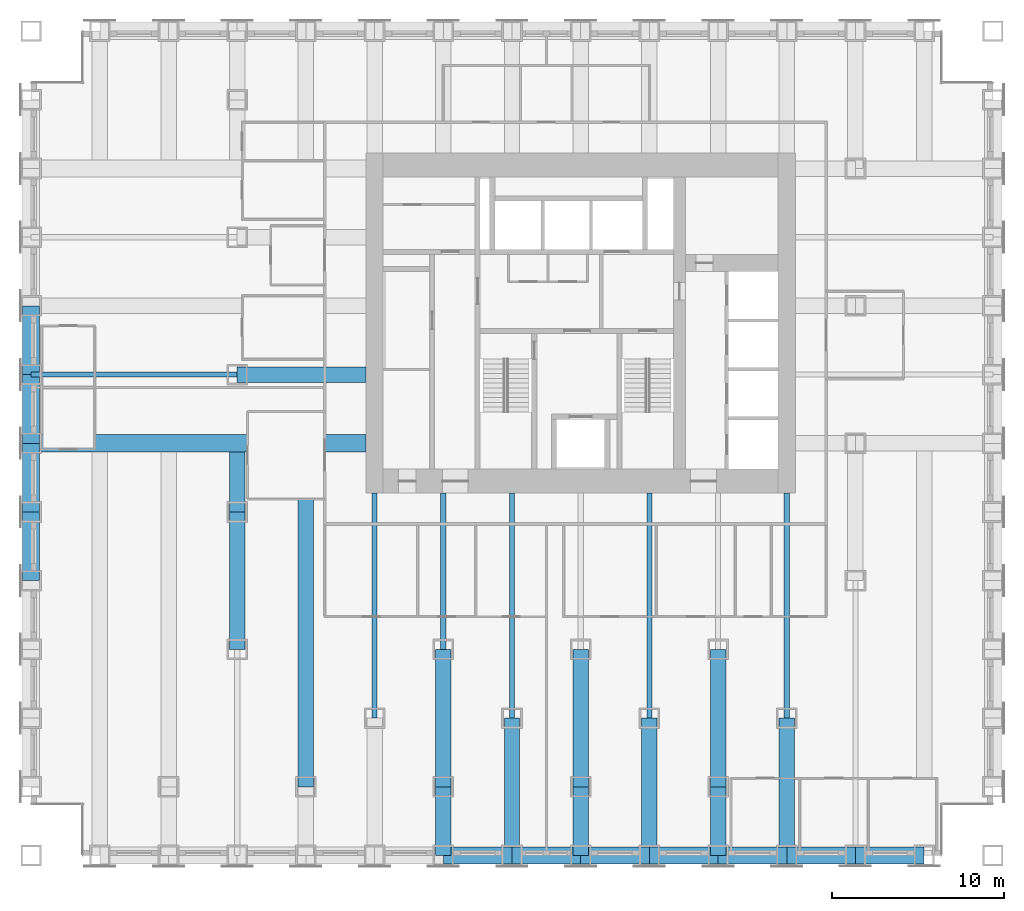
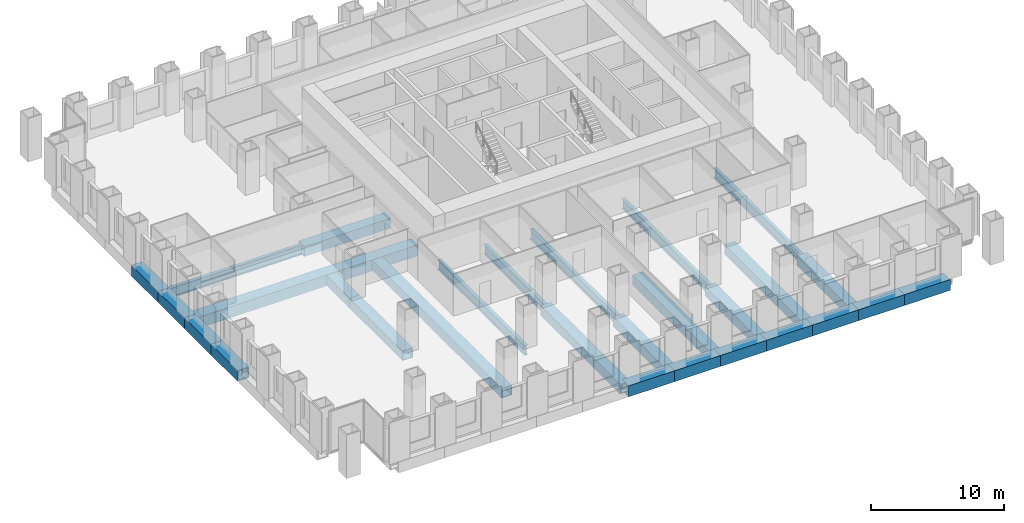
# One storey, part 3 of 15: 31 beams.
"""IFC4 building model written with IfcOpenShell, lengths in metres."""

from ifc_helpers import new_model, si_unit, direction, frame, origin, origin_2d, place, context, subcontext, project, spatial, hollow_rectangle, i_section, extrude, material, material_profile, profile_set, type_object, element, save


model = new_model("IFC4")

# Units and contexts
model_context = context("Model", 3, precision=1e-05, world=origin(), true_north=direction((0.0, 1.0)))
body_context = subcontext(model_context, "Body", "Model", "MODEL_VIEW")
ifc_project = project(units=[si_unit("LENGTHUNIT", "METRE"), si_unit("AREAUNIT", "SQUARE_METRE"), si_unit("VOLUMEUNIT", "CUBIC_METRE"), si_unit("PLANEANGLEUNIT", "RADIAN"), si_unit("MASSUNIT", "GRAM", prefix="KILO")], contexts=[model_context])

# Site, building, storey
site_placement = place(None, origin())
site = spatial("IfcSite", under=ifc_project, at=site_placement, CompositionType="ELEMENT")
building_placement = place(site_placement, origin())
building = spatial("IfcBuilding", under=site, at=building_placement, Name="Rimbunsela Tower", CompositionType="ELEMENT")
storey_placement = place(building_placement, frame((0.0, 0.0, 31.0)))
storey = spatial("IfcBuildingStorey", under=building, at=storey_placement, Name="L07", CompositionType="ELEMENT", Elevation=31.0)

# Beams
ifc_material_1 = material(Name="Steel BJ 55 (fy 410 MPa)", Category="steel")
ifc_material_profile_1 = material_profile(ifc_material_1, hollow_rectangle(XDim=1.0, YDim=1.0, WallThickness=0.10009765625, at=origin_2d()), Name="BOX 1000x1000x100")
ifc_profile_set_1 = profile_set([ifc_material_profile_1], Name="Steel BJ 55 (fy 410 MPa)")
beam_type_1 = type_object("IfcBeamType", Name="Beam BOX 1000x1000x100", PredefinedType="BEAM", material=ifc_profile_set_1)
for number, where, z_axis, x_axis, name in (
    (1, (-2.0, 12.0, -0.64990234375), (0.0, 1.0, 0.0), (-1.0, 0.0, 0.0), "Beam B3 L07"),
    (2, (-2.0, 16.0, -0.64990234375), (0.0, 1.0, 0.0), (-1.0, 0.0, 0.0), "Beam B3 L07"),
    (3, (-2.0, 20.0, -0.64990234375), (0.0, 1.0, 0.0), (-1.0, 0.0, 0.0), "Beam B3 L07"),
):
    element("IfcBeam", number, at=place(storey_placement, frame(where, z_axis=z_axis, x_axis=x_axis)), inside=storey, type_object=beam_type_1, Name=name, PredefinedType="BEAM", context=body_context, shape_type="SweptSolid", body=[
        extrude(hollow_rectangle(XDim=1.0, YDim=1.0, WallThickness=0.10009765625, at=origin_2d()), origin(), (0.0, 0.0, 1.0), 4.0),
    ])
beam_1_placement = place(storey_placement, frame((-2.0, 20.0, -0.64990234375), z_axis=(1.0, 0.0, 0.0), x_axis=(0.0, 1.0, 0.0)))
element("IfcBeam", 4, at=beam_1_placement, inside=storey, type_object=beam_type_1, Name="Beam B3 L07", PredefinedType="BEAM", context=body_context, shape_type="SweptSolid", body=[
    extrude(hollow_rectangle(XDim=1.0, YDim=1.0, WallThickness=0.10009765625, at=origin_2d()), origin(), (0.0, 0.0, 1.0), 19.5),
])
for number, where, z_axis, x_axis, name in (
    (5, (-2.0, 24.0, -0.64990234375), (0.0, 1.0, 0.0), (-1.0, 0.0, 0.0), "Beam B3 L07"),
    (6, (22.0, -4.0, -0.64990234375), (1.0, 0.0, 0.0), (0.0, 1.0, 0.0), "Beam B3 L07"),
    (7, (26.0, -4.0, -0.64990234375), (1.0, 0.0, 0.0), (0.0, 1.0, 0.0), "Beam B3 L07"),
    (8, (30.0, -4.0, -0.64990234375), (1.0, 0.0, 0.0), (0.0, 1.0, 0.0), "Beam B3 L07"),
    (9, (34.0, -4.0, -0.64990234375), (1.0, 0.0, 0.0), (0.0, 1.0, 0.0), "Beam B3 L07"),
    (10, (38.0, -4.0, -0.64990234375), (1.0, 0.0, 0.0), (0.0, 1.0, 0.0), "Beam B3 L07"),
    (11, (42.0, -4.0, -0.64990234375), (1.0, 0.0, 0.0), (0.0, 1.0, 0.0), "Beam B3 L07"),
    (12, (46.0, -4.0, -0.64990234375), (1.0, 0.0, 0.0), (0.0, 1.0, 0.0), "Beam B3 L07"),
):
    element("IfcBeam", number, at=place(storey_placement, frame(where, z_axis=z_axis, x_axis=x_axis)), inside=storey, type_object=beam_type_1, Name=name, PredefinedType="BEAM", context=body_context, shape_type="SweptSolid", body=[
        extrude(hollow_rectangle(XDim=1.0, YDim=1.0, WallThickness=0.10009765625, at=origin_2d()), origin(), (0.0, 0.0, 1.0), 4.0),
    ])
ifc_material_2 = material(Name="Steel BJ 55 (fy 410 MPa)", Category="steel")
ifc_material_profile_2 = material_profile(ifc_material_2, hollow_rectangle(XDim=0.89990234375, YDim=0.89990234375, WallThickness=0.06005859375, at=origin_2d()), Name="BOX 900x900x60")
ifc_profile_set_2 = profile_set([ifc_material_profile_2], Name="Steel BJ 55 (fy 410 MPa)")
beam_type_2 = type_object("IfcBeamType", Name="Beam BOX 900x900x60", PredefinedType="BEAM", material=ifc_profile_set_2)
beam_2_placement = place(storey_placement, frame((10.0, 8.0, -0.60009765625), z_axis=(0.0, 1.0, 0.0), x_axis=(-1.0, 0.0, 0.0)))
element("IfcBeam", 13, at=beam_2_placement, inside=storey, type_object=beam_type_2, Name="Beam B1 L07", PredefinedType="BEAM", context=body_context, shape_type="SweptSolid", body=[
    extrude(hollow_rectangle(XDim=0.89990234375, YDim=0.89990234375, WallThickness=0.06005859375, at=origin_2d()), origin(), (0.0, 0.0, 1.0), 8.0),
])
beam_3_placement = place(storey_placement, frame((10.0, 16.0, -0.60009765625), z_axis=(0.0, 1.0, 0.0), x_axis=(-1.0, 0.0, 0.0)))
element("IfcBeam", 14, at=beam_3_placement, inside=storey, type_object=beam_type_2, Name="Beam B1 L07", PredefinedType="BEAM", context=body_context, shape_type="SweptSolid", body=[
    extrude(hollow_rectangle(XDim=0.89990234375, YDim=0.89990234375, WallThickness=0.06005859375, at=origin_2d()), origin(), (0.0, 0.0, 1.0), 3.5),
])
beam_4_placement = place(storey_placement, frame((10.0, 24.0, -0.60009765625), z_axis=(1.0, 0.0, 0.0), x_axis=(0.0, 1.0, 0.0)))
element("IfcBeam", 15, at=beam_4_placement, inside=storey, type_object=beam_type_2, Name="Beam B1 L07", PredefinedType="BEAM", context=body_context, shape_type="SweptSolid", body=[
    extrude(hollow_rectangle(XDim=0.89990234375, YDim=0.89990234375, WallThickness=0.06005859375, at=origin_2d()), origin(), (0.0, 0.0, 1.0), 7.5),
])
beam_5_placement = place(storey_placement, frame((14.0, 0.0, -0.60009765625), z_axis=(0.0, 1.0, 0.0), x_axis=(-1.0, 0.0, 0.0)))
element("IfcBeam", 16, at=beam_5_placement, inside=storey, type_object=beam_type_2, Name="Beam B1 L07", PredefinedType="BEAM", context=body_context, shape_type="SweptSolid", body=[
    extrude(hollow_rectangle(XDim=0.89990234375, YDim=0.89990234375, WallThickness=0.06005859375, at=origin_2d()), origin(), (0.0, 0.0, 1.0), 19.5),
])
beam_6_placement = place(storey_placement, frame((22.0, -4.0, -0.60009765625), z_axis=(0.0, 1.0, 0.0), x_axis=(-1.0, 0.0, 0.0)))
element("IfcBeam", 17, at=beam_6_placement, inside=storey, type_object=beam_type_2, Name="Beam B1 L07", PredefinedType="BEAM", context=body_context, shape_type="SweptSolid", body=[
    extrude(hollow_rectangle(XDim=0.89990234375, YDim=0.89990234375, WallThickness=0.06005859375, at=origin_2d()), origin(), (0.0, 0.0, 1.0), 4.0),
])
for number, where, z_axis, x_axis, name in (
    (18, (22.0, 0.0, -0.60009765625), (0.0, 1.0, 0.0), (-1.0, 0.0, 0.0), "Beam B1 L07"),
    (19, (26.0, -4.0, -0.60009765625), (0.0, 1.0, 0.0), (-1.0, 0.0, 0.0), "Beam B1 L07"),
):
    element("IfcBeam", number, at=place(storey_placement, frame(where, z_axis=z_axis, x_axis=x_axis)), inside=storey, type_object=beam_type_2, Name=name, PredefinedType="BEAM", context=body_context, shape_type="SweptSolid", body=[
        extrude(hollow_rectangle(XDim=0.89990234375, YDim=0.89990234375, WallThickness=0.06005859375, at=origin_2d()), origin(), (0.0, 0.0, 1.0), 8.0),
    ])
beam_7_placement = place(storey_placement, frame((30.0, -4.0, -0.60009765625), z_axis=(0.0, 1.0, 0.0), x_axis=(-1.0, 0.0, 0.0)))
element("IfcBeam", 20, at=beam_7_placement, inside=storey, type_object=beam_type_2, Name="Beam B1 L07", PredefinedType="BEAM", context=body_context, shape_type="SweptSolid", body=[
    extrude(hollow_rectangle(XDim=0.89990234375, YDim=0.89990234375, WallThickness=0.06005859375, at=origin_2d()), origin(), (0.0, 0.0, 1.0), 4.0),
])
for number, where, z_axis, x_axis, name in (
    (21, (30.0, 0.0, -0.60009765625), (0.0, 1.0, 0.0), (-1.0, 0.0, 0.0), "Beam B1 L07"),
    (22, (34.0, -4.0, -0.60009765625), (0.0, 1.0, 0.0), (-1.0, 0.0, 0.0), "Beam B1 L07"),
):
    element("IfcBeam", number, at=place(storey_placement, frame(where, z_axis=z_axis, x_axis=x_axis)), inside=storey, type_object=beam_type_2, Name=name, PredefinedType="BEAM", context=body_context, shape_type="SweptSolid", body=[
        extrude(hollow_rectangle(XDim=0.89990234375, YDim=0.89990234375, WallThickness=0.06005859375, at=origin_2d()), origin(), (0.0, 0.0, 1.0), 8.0),
    ])
beam_8_placement = place(storey_placement, frame((38.0, -4.0, -0.60009765625), z_axis=(0.0, 1.0, 0.0), x_axis=(-1.0, 0.0, 0.0)))
element("IfcBeam", 23, at=beam_8_placement, inside=storey, type_object=beam_type_2, Name="Beam B1 L07", PredefinedType="BEAM", context=body_context, shape_type="SweptSolid", body=[
    extrude(hollow_rectangle(XDim=0.89990234375, YDim=0.89990234375, WallThickness=0.06005859375, at=origin_2d()), origin(), (0.0, 0.0, 1.0), 4.0),
])
for number, where, z_axis, x_axis, name in (
    (24, (38.0, 0.0, -0.60009765625), (0.0, 1.0, 0.0), (-1.0, 0.0, 0.0), "Beam B1 L07"),
    (25, (42.0, -4.0, -0.60009765625), (0.0, 1.0, 0.0), (-1.0, 0.0, 0.0), "Beam B1 L07"),
):
    element("IfcBeam", number, at=place(storey_placement, frame(where, z_axis=z_axis, x_axis=x_axis)), inside=storey, type_object=beam_type_2, Name=name, PredefinedType="BEAM", context=body_context, shape_type="SweptSolid", body=[
        extrude(hollow_rectangle(XDim=0.89990234375, YDim=0.89990234375, WallThickness=0.06005859375, at=origin_2d()), origin(), (0.0, 0.0, 1.0), 8.0),
    ])
ifc_material_3 = material(Name="Steel BJ 55 (fy 410 MPa)", Category="steel")
ifc_material_profile_3 = material_profile(ifc_material_3, i_section(OverallWidth=0.300048828125, OverallDepth=0.89990234375, WebThickness=0.01611328125, FlangeThickness=0.028076171875, FilletRadius=0.028076171875, at=origin_2d()), Name="H 900x300x16x28")
ifc_profile_set_3 = profile_set([ifc_material_profile_3], Name="Steel BJ 55 (fy 410 MPa)")
beam_type_3 = type_object("IfcBeamType", Name="Beam H 900x300x16x28", PredefinedType="BEAM", material=ifc_profile_set_3)
beam_9_placement = place(storey_placement, frame((-2.0, 24.0, -0.60009765625), z_axis=(1.0, 0.0, 0.0), x_axis=(0.0, 1.0, 0.0)))
element("IfcBeam", 26, at=beam_9_placement, inside=storey, type_object=beam_type_3, Name="Beam B2 L07", PredefinedType="BEAM", context=body_context, shape_type="SweptSolid", body=[
    extrude(i_section(OverallWidth=0.300048828125, OverallDepth=0.89990234375, WebThickness=0.01611328125, FlangeThickness=0.028076171875, FilletRadius=0.028076171875, at=origin_2d()), origin(), (0.0, 0.0, 1.0), 12.0),
])
beam_10_placement = place(storey_placement, frame((18.0, 4.0, -0.60009765625), z_axis=(0.0, 1.0, 0.0), x_axis=(-1.0, 0.0, 0.0)))
element("IfcBeam", 27, at=beam_10_placement, inside=storey, type_object=beam_type_3, Name="Beam B2 L07", PredefinedType="BEAM", context=body_context, shape_type="SweptSolid", body=[
    extrude(i_section(OverallWidth=0.300048828125, OverallDepth=0.89990234375, WebThickness=0.01611328125, FlangeThickness=0.028076171875, FilletRadius=0.028076171875, at=origin_2d()), origin(), (0.0, 0.0, 1.0), 13.10009765625),
])
beam_11_placement = place(storey_placement, frame((22.0, 8.0, -0.60009765625), z_axis=(0.0, 1.0, 0.0), x_axis=(-1.0, 0.0, 0.0)))
element("IfcBeam", 28, at=beam_11_placement, inside=storey, type_object=beam_type_3, Name="Beam B2 L07", PredefinedType="BEAM", context=body_context, shape_type="SweptSolid", body=[
    extrude(i_section(OverallWidth=0.300048828125, OverallDepth=0.89990234375, WebThickness=0.01611328125, FlangeThickness=0.028076171875, FilletRadius=0.028076171875, at=origin_2d()), origin(), (0.0, 0.0, 1.0), 9.10009765625),
])
for number, where, z_axis, x_axis, name in (
    (29, (26.0, 4.0, -0.60009765625), (0.0, 1.0, 0.0), (-1.0, 0.0, 0.0), "Beam B2 L07"),
    (30, (34.0, 4.0, -0.60009765625), (0.0, 1.0, 0.0), (-1.0, 0.0, 0.0), "Beam B2 L07"),
    (31, (42.0, 4.0, -0.60009765625), (0.0, 1.0, 0.0), (-1.0, 0.0, 0.0), "Beam B2 L07"),
):
    element("IfcBeam", number, at=place(storey_placement, frame(where, z_axis=z_axis, x_axis=x_axis)), inside=storey, type_object=beam_type_3, Name=name, PredefinedType="BEAM", context=body_context, shape_type="SweptSolid", body=[
        extrude(i_section(OverallWidth=0.300048828125, OverallDepth=0.89990234375, WebThickness=0.01611328125, FlangeThickness=0.028076171875, FilletRadius=0.028076171875, at=origin_2d()), origin(), (0.0, 0.0, 1.0), 13.10009765625),
    ])

save(model, "model.ifc")
